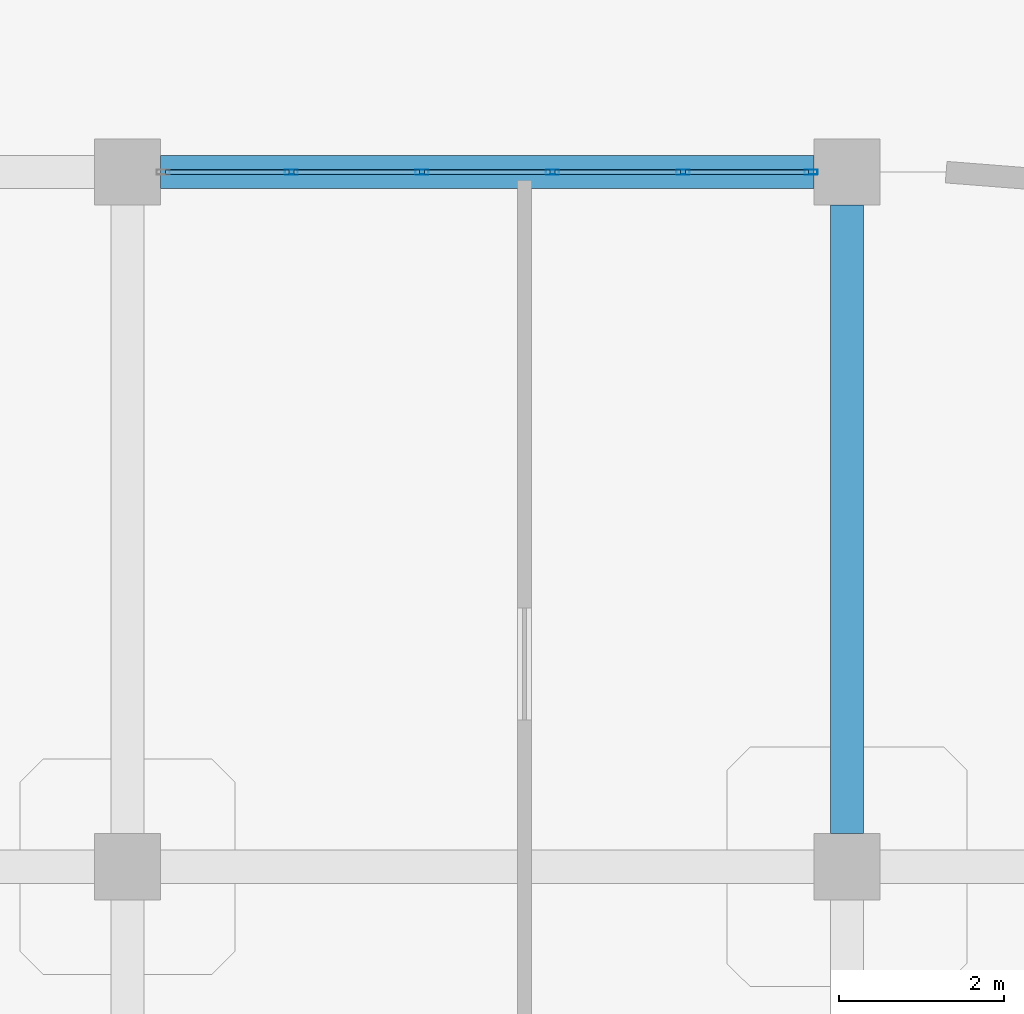
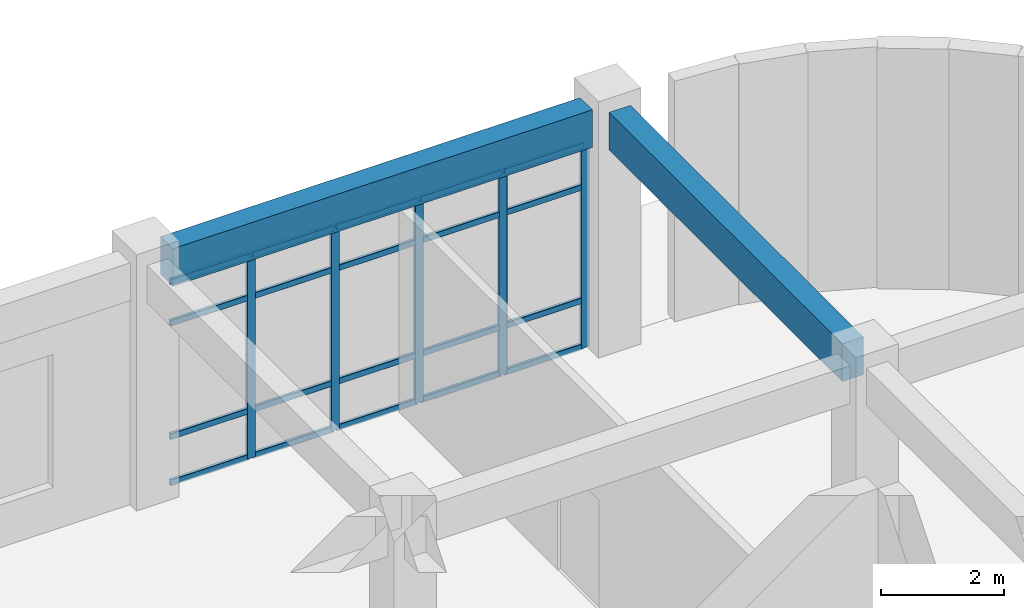
# One storey, part 62 of 96: 25 members, 2 beams, 1 element without a shape of its own.
"""IFC4 building model written with IfcOpenShell, lengths in metres."""

import ifcopenshell
import ifcopenshell.guid

model = None  # the IFC model being written
_history = None  # IfcOwnerHistory: only IFC2X3 demands one
_inside = {}  # id of a spatial element -> (the spatial element, [elements in it])
_under = {}  # id of a project, library or spatial element -> (it, [spatial elements below it])
_declared = {}  # id of a project -> (the project, [libraries it declares])
_typed = {}  # id of a type object -> (the type object, [elements of that type])
_made_of = {}  # id of a material, layer set ... -> (it, [elements and type objects made of it])


def new_model(schema):
    """Start an empty IFC model of exactly this schema.

    Asked for "IFC4X3", IfcOpenShell would pick the latest addendum, in which some entities
    have other attributes; the version numbers below select the first issue.
    IFC2X3 requires an IfcOwnerHistory on every rooted entity: one is made here for all.
    """
    global model, _history
    if schema == "IFC4X3":
        model = ifcopenshell.file(schema_version=(4, 3, 0, 0))
    else:
        model = ifcopenshell.file(schema=schema)
    _inside.clear()
    _under.clear()
    _declared.clear()
    _typed.clear()
    _made_of.clear()
    _history = None
    if model.schema == "IFC2X3":
        org = make("IfcOrganization", Name="unknown")
        user = make(
            "IfcPersonAndOrganization",
            ThePerson=make("IfcPerson", FamilyName="unknown"),
            TheOrganization=org,
        )
        app = make(
            "IfcApplication",
            ApplicationDeveloper=org,
            Version="unknown",
            ApplicationFullName="unknown",
            ApplicationIdentifier="unknown",
        )
        _history = make(
            "IfcOwnerHistory",
            OwningUser=user,
            OwningApplication=app,
            ChangeAction="ADDED",
            CreationDate=0,
        )
    return model


def make(cls, **values):
    """One entity of the class cls with the attributes given. An attribute that is None is left unset."""
    return model.create_entity(
        cls, **{name: value for name, value in values.items() if value is not None}
    )


def rooted(cls, **values):
    """An entity with a GlobalId (a new one), such as an element, a storey or a relation."""
    return make(cls, GlobalId=ifcopenshell.guid.new(), OwnerHistory=_history, **values)


def si_unit(unit_type, name, prefix=None):
    """IfcSIUnit, for example si_unit("LENGTHUNIT", "METRE", prefix="MILLI")."""
    return make("IfcSIUnit", UnitType=unit_type, Prefix=prefix, Name=name)


def derived_unit(unit_type, elements):
    """IfcDerivedUnit: a product of units, each with its exponent."""
    return make(
        "IfcDerivedUnit",
        Elements=[
            make("IfcDerivedUnitElement", Unit=unit, Exponent=power)
            for unit, power in elements
        ],
        UnitType=unit_type,
    )


def assignment(units):
    """IfcUnitAssignment: the units of a project."""
    return None if units is None else make("IfcUnitAssignment", Units=units)


def point(xyz):
    """IfcCartesianPoint."""
    return None if xyz is None else make("IfcCartesianPoint", Coordinates=xyz)


def direction(xyz):
    """IfcDirection."""
    return None if xyz is None else make("IfcDirection", DirectionRatios=xyz)


def frame(location, z_axis=None, x_axis=None):
    """IfcAxis2Placement3D, a coordinate frame: its origin and axes. An axis left out is left unset."""
    return make(
        "IfcAxis2Placement3D",
        Location=point(location),
        Axis=direction(z_axis),
        RefDirection=direction(x_axis),
    )


def frame_2d(location, x_axis=None):
    """IfcAxis2Placement2D, a coordinate frame in the plane: its origin and x axis."""
    return make(
        "IfcAxis2Placement2D", Location=point(location), RefDirection=direction(x_axis)
    )


def origin():
    """The frame at (0, 0, 0) with its axes left unset."""
    return frame((0.0, 0.0, 0.0))


def origin_2d():
    """The frame at (0, 0) in the plane with its x axis left unset."""
    return frame_2d((0.0, 0.0))


def place(relative_to, where):
    """IfcLocalPlacement: puts the frame where relative to a parent placement (None: the world)."""
    return make(
        "IfcLocalPlacement", PlacementRelTo=relative_to, RelativePlacement=where
    )


def context(
    kind, dimensions, precision=None, world=None, true_north=None, identifier=None
):
    """IfcGeometricRepresentationContext, for example the 3D "Model" context."""
    return make(
        "IfcGeometricRepresentationContext",
        ContextIdentifier=identifier,
        ContextType=kind,
        CoordinateSpaceDimension=dimensions,
        Precision=precision,
        WorldCoordinateSystem=world,
        TrueNorth=true_north,
    )


def subcontext(parent, identifier, kind, view, scale=None):
    """IfcGeometricRepresentationSubContext, for example "Body" below "Model"."""
    return make(
        "IfcGeometricRepresentationSubContext",
        ContextIdentifier=identifier,
        ContextType=kind,
        ParentContext=parent,
        TargetScale=scale,
        TargetView=view,
    )


def project(units=None, contexts=None):
    """IfcProject with its units and contexts."""
    return rooted(
        "IfcProject",
        Name="project",
        RepresentationContexts=contexts,
        UnitsInContext=assignment(units),
    )


def spatial(cls, under=None, at=None, **own):
    """A site, building, storey or space (cls), placed at a placement, below another one or the project."""
    s = rooted(cls, ObjectPlacement=at, **own)
    if under is not None:
        _under.setdefault(under.id(), (under, []))[1].append(s)
    return s


def profile(cls, at=None, kind="AREA", **sizes):
    """A parametric profile (cls). Its sizes go by their IFC names, for example OverallWidth=200.0."""
    return make(cls, ProfileType=kind, Position=at, **sizes)


def rectangle(**sizes):
    """IfcRectangleProfileDef."""
    return profile("IfcRectangleProfileDef", **sizes)


def hollow_rectangle(**sizes):
    """IfcRectangleHollowProfileDef."""
    return profile("IfcRectangleHollowProfileDef", **sizes)


def extrude(swept, where, along, depth):
    """IfcExtrudedAreaSolid: the profile swept, set in the frame where, extruded along a direction by depth."""
    return make(
        "IfcExtrudedAreaSolid",
        SweptArea=swept,
        Position=where,
        ExtrudedDirection=direction(along),
        Depth=depth,
    )


def shape(context_of_items, identifier, shape_type, items):
    """IfcShapeRepresentation: the items that make up one representation, for example the "Body"."""
    return make(
        "IfcShapeRepresentation",
        ContextOfItems=context_of_items,
        RepresentationIdentifier=identifier,
        RepresentationType=shape_type,
        Items=items,
    )


def material(Name=None, Category=None):
    """IfcMaterial."""
    return make("IfcMaterial", Name=Name, Category=Category)


def layer(
    of_material, thickness, ventilated=None, Name=None, Category=None, Priority=None
):
    """IfcMaterialLayer: one layer of a wall or slab, of a material (None: an air gap)."""
    return make(
        "IfcMaterialLayer",
        Material=of_material,
        LayerThickness=thickness,
        IsVentilated=ventilated,
        Name=Name,
        Category=Category,
        Priority=Priority,
    )


def layer_set(layers, Name=None):
    """IfcMaterialLayerSet."""
    return make("IfcMaterialLayerSet", MaterialLayers=layers, LayerSetName=Name)


def material_profile(
    of_material, cross_section, Name=None, Category=None, Priority=None
):
    """IfcMaterialProfile: a cross section and its material."""
    return make(
        "IfcMaterialProfile",
        Name=Name,
        Material=of_material,
        Profile=cross_section,
        Priority=Priority,
        Category=Category,
    )


def profile_set(profiles, Name=None, composite=None):
    """IfcMaterialProfileSet."""
    return make(
        "IfcMaterialProfileSet",
        Name=Name,
        MaterialProfiles=profiles,
        CompositeProfile=composite,
    )


def made_of(thing, what):
    """Note that an element or type object is made of a material, layer set ...; save() writes the relation."""
    if what is not None:
        _made_of.setdefault(what.id(), (what, []))[1].append(thing)
    return thing


def type_object(cls, material=None, **own):
    """A type object (cls), such as IfcWallType, which elements share."""
    return made_of(rooted(cls, **own), material)


def element(
    cls,
    number,
    at=None,
    inside=None,
    cuts=None,
    type_object=None,
    material=None,
    context=None,
    identifier="Body",
    shape_type=None,
    held_by="IfcProductDefinitionShape",
    body=None,
    shapes=None,
    **own,
):
    """One element of the class cls, such as IfcWall. Its Tag is "e" and its number.

    at: its placement. inside: the storey or other place that contains it. cuts: it is an
    opening in that element (IfcRelVoidsElement). A single representation is given by context,
    identifier, shape_type and body (its items); several are given by shapes. held_by: the class
    of the entity that holds the representations. save() writes the other relations.
    """
    e = rooted(cls, Tag="e%d" % number, ObjectPlacement=at, **own)
    if body is not None:
        shapes = [shape(context, identifier, shape_type, body)]
    if shapes is not None:
        e.Representation = make(held_by, Representations=shapes)
    if inside is not None:
        _inside.setdefault(inside.id(), (inside, []))[1].append(e)
    if cuts is not None:
        rooted(
            "IfcRelVoidsElement", RelatingBuildingElement=cuts, RelatedOpeningElement=e
        )
    if type_object is not None:
        _typed.setdefault(type_object.id(), (type_object, []))[1].append(e)
    return made_of(e, material)


def aggregate(whole, parts):
    """IfcRelAggregates: a whole, such as a stair, and the parts it consists of."""
    return rooted("IfcRelAggregates", RelatingObject=whole, RelatedObjects=parts)


def save(model, path):
    """Write the relations noted so far, then the file.

    IfcRelAggregates (storeys below a building ...), IfcRelContainedInSpatialStructure (elements
    in a storey), IfcRelDefinesByType, IfcRelAssociatesMaterial and IfcRelDeclares: one each for
    every whole, place, type object, material and project.
    """
    for whole, parts in _under.values():
        aggregate(whole, parts)
    for where, things in _inside.values():
        rooted(
            "IfcRelContainedInSpatialStructure",
            RelatedElements=things,
            RelatingStructure=where,
        )
    for kind, things in _typed.values():
        rooted("IfcRelDefinesByType", RelatedObjects=things, RelatingType=kind)
    for what, things in _made_of.values():
        rooted("IfcRelAssociatesMaterial", RelatedObjects=things, RelatingMaterial=what)
    for by, libraries in _declared.values():
        rooted("IfcRelDeclares", RelatingContext=by, RelatedDefinitions=libraries)
    model.write(path)


model = new_model("IFC4")

# Units and contexts
model_context = context("Model", 3, precision=1e-05, world=origin(), true_north=direction((0.0, 1.0)))
body_context = subcontext(model_context, "Body", "Model", "MODEL_VIEW")
ifc_project = project(units=[si_unit("LENGTHUNIT", "METRE"), si_unit("AREAUNIT", "SQUARE_METRE"), si_unit("VOLUMEUNIT", "CUBIC_METRE"), si_unit("PLANEANGLEUNIT", "RADIAN"), si_unit("MASSUNIT", "GRAM", prefix="KILO"), derived_unit("THERMALTRANSMITTANCEUNIT", [(si_unit("MASSUNIT", "GRAM", prefix="KILO"), 1), (si_unit("TIMEUNIT", "SECOND"), -3), (si_unit("THERMODYNAMICTEMPERATUREUNIT", "KELVIN"), -1)])], contexts=[model_context])

# Site, building, storey
site_placement = place(None, origin())
site = spatial("IfcSite", under=ifc_project, at=site_placement, CompositionType="ELEMENT")
building_placement = place(site_placement, origin())
building = spatial("IfcBuilding", under=site, at=building_placement, Name="Qinzheling Arcade Emporium", CompositionType="ELEMENT")
storey_placement = place(building_placement, frame((0.0, 0.0, 21.60009765625)))
storey = spatial("IfcBuildingStorey", under=building, at=storey_placement, Name="L05", CompositionType="ELEMENT", Elevation=21.60009765625)

# Curtain wall, members
ifc_material_1 = material(Name="Anodised aluminium and solar-control double glazing", Category="aluminium")
ifc_layer = layer(ifc_material_1, 0.159912109375, Name="Anodised aluminium and solar-control double glazing", Category="aluminium")
ifc_layer_set = layer_set([ifc_layer], Name="Anodised aluminium and solar-control double glazing")
curtain_wall_type = type_object("IfcCurtainWallType", Name="Food Hall Loggia Curtain Wall", PredefinedType="NOTDEFINED", material=ifc_layer_set)
curtain_wall_placement = place(storey_placement, origin())
curtain_wall = element("IfcCurtainWall", 1, at=curtain_wall_placement, inside=storey, type_object=curtain_wall_type, Name="Curtain Wall CW-L05-297", PredefinedType="NOTDEFINED")
ifc_material_2 = material(Name="Anodised aluminium 6063-T6", Category="aluminium")
ifc_material_profile_1 = material_profile(ifc_material_2, hollow_rectangle(XDim=0.06005859375, YDim=0.159912109375, WallThickness=0.00390625, InnerFilletRadius=0.00390625, OuterFilletRadius=0.008056640625, at=origin_2d()), Name="RHS 160x60x4", Category="aluminium")
ifc_profile_set_1 = profile_set([ifc_material_profile_1], Name="Anodised aluminium 6063-T6")
member_type_1 = type_object("IfcMemberType", Name="Curtain Wall Mullion RHS160x60", PredefinedType="MULLION", material=ifc_profile_set_1)
member_1_placement = place(storey_placement, frame((141.18115234375, 25.199951171875, 0.0), z_axis=(0.0, 0.0, 1.0), x_axis=(0.0, 1.0, 0.0)))
member_1 = element("IfcMember", 2, at=member_1_placement, type_object=member_type_1, Name="CW04 mullion 2", PredefinedType="MULLION", context=body_context, shape_type="SweptSolid", body=[
    extrude(hollow_rectangle(XDim=0.06005859375, YDim=0.159912109375, WallThickness=0.00390625, InnerFilletRadius=0.00390625, OuterFilletRadius=0.008056640625, at=origin_2d()), origin(), (0.0, 0.0, 1.0), 4.054931640625),
])
member_2_placement = place(storey_placement, frame((142.760498046875, 25.199951171875, 0.0), z_axis=(0.0, 0.0, 1.0), x_axis=(0.0, 1.0, 0.0)))
member_2 = element("IfcMember", 3, at=member_2_placement, type_object=member_type_1, Name="CW04 mullion 3", PredefinedType="MULLION", context=body_context, shape_type="SweptSolid", body=[
    extrude(hollow_rectangle(XDim=0.06005859375, YDim=0.159912109375, WallThickness=0.00390625, InnerFilletRadius=0.00390625, OuterFilletRadius=0.008056640625, at=origin_2d()), origin(), (0.0, 0.0, 1.0), 4.054931640625),
])
member_3_placement = place(storey_placement, frame((144.339599609375, 25.199951171875, 0.0), z_axis=(0.0, 0.0, 1.0), x_axis=(0.0, 1.0, 0.0)))
member_3 = element("IfcMember", 4, at=member_3_placement, type_object=member_type_1, Name="CW04 mullion 4", PredefinedType="MULLION", context=body_context, shape_type="SweptSolid", body=[
    extrude(hollow_rectangle(XDim=0.06005859375, YDim=0.159912109375, WallThickness=0.00390625, InnerFilletRadius=0.00390625, OuterFilletRadius=0.008056640625, at=origin_2d()), origin(), (0.0, 0.0, 1.0), 4.054931640625),
])
member_4_placement = place(storey_placement, frame((145.918701171875, 25.199951171875, 0.0), z_axis=(0.0, 0.0, 1.0), x_axis=(0.0, 1.0, 0.0)))
member_4 = element("IfcMember", 5, at=member_4_placement, type_object=member_type_1, Name="CW04 mullion 5", PredefinedType="MULLION", context=body_context, shape_type="SweptSolid", body=[
    extrude(hollow_rectangle(XDim=0.06005859375, YDim=0.159912109375, WallThickness=0.00390625, InnerFilletRadius=0.00390625, OuterFilletRadius=0.008056640625, at=origin_2d()), origin(), (0.0, 0.0, 1.0), 4.054931640625),
])
member_5_placement = place(storey_placement, frame((147.468017578125, 25.199951171875, 0.0), z_axis=(0.0, 0.0, 1.0), x_axis=(0.0, 1.0, 0.0)))
member_5 = element("IfcMember", 6, at=member_5_placement, type_object=member_type_1, Name="CW04 mullion 6", PredefinedType="MULLION", context=body_context, shape_type="SweptSolid", body=[
    extrude(hollow_rectangle(XDim=0.06005859375, YDim=0.159912109375, WallThickness=0.00390625, InnerFilletRadius=0.00390625, OuterFilletRadius=0.008056640625, at=origin_2d()), origin(), (0.0, 0.0, 1.0), 4.054931640625),
])
ifc_material_profile_2 = material_profile(ifc_material_2, hollow_rectangle(XDim=0.06005859375, YDim=0.1201171875, WallThickness=0.00390625, InnerFilletRadius=0.00390625, OuterFilletRadius=0.008056640625, at=origin_2d()), Name="RHS 120x60x4", Category="aluminium")
ifc_profile_set_2 = profile_set([ifc_material_profile_2], Name="Anodised aluminium 6063-T6")
member_type_2 = type_object("IfcMemberType", Name="Curtain Wall Transom RHS120x60", PredefinedType="USERDEFINED", material=ifc_profile_set_2)
member_6_placement = place(storey_placement, frame((139.662109375, 25.199951171875, 0.02978515625), z_axis=(1.0, 0.0, 0.0), x_axis=(0.0, 1.0, 0.0)))
member_6 = element("IfcMember", 7, at=member_6_placement, type_object=member_type_2, Name="CW04 transom 1.1", ObjectType="TRANSOM", PredefinedType="USERDEFINED", context=body_context, shape_type="SweptSolid", body=[
    extrude(hollow_rectangle(XDim=0.06005859375, YDim=0.1201171875, WallThickness=0.00390625, InnerFilletRadius=0.00390625, OuterFilletRadius=0.008056640625, at=origin_2d()), origin(), (0.0, 0.0, 1.0), 1.489013671875),
])
member_7_placement = place(storey_placement, frame((139.662109375, 25.199951171875, 0.949951171875), z_axis=(1.0, 0.0, 0.0), x_axis=(0.0, 1.0, 0.0)))
member_7 = element("IfcMember", 8, at=member_7_placement, type_object=member_type_2, Name="CW04 transom 1.2", ObjectType="TRANSOM", PredefinedType="USERDEFINED", context=body_context, shape_type="SweptSolid", body=[
    extrude(hollow_rectangle(XDim=0.06005859375, YDim=0.1201171875, WallThickness=0.00390625, InnerFilletRadius=0.00390625, OuterFilletRadius=0.008056640625, at=origin_2d()), origin(), (0.0, 0.0, 1.0), 1.489013671875),
])
member_8_placement = place(storey_placement, frame((139.662109375, 25.199951171875, 3.204833984375), z_axis=(1.0, 0.0, 0.0), x_axis=(0.0, 1.0, 0.0)))
member_8 = element("IfcMember", 9, at=member_8_placement, type_object=member_type_2, Name="CW04 transom 1.3", ObjectType="TRANSOM", PredefinedType="USERDEFINED", context=body_context, shape_type="SweptSolid", body=[
    extrude(hollow_rectangle(XDim=0.06005859375, YDim=0.1201171875, WallThickness=0.00390625, InnerFilletRadius=0.00390625, OuterFilletRadius=0.008056640625, at=origin_2d()), origin(), (0.0, 0.0, 1.0), 1.489013671875),
])
member_9_placement = place(storey_placement, frame((139.662109375, 25.199951171875, 4.02490234375), z_axis=(1.0, 0.0, 0.0), x_axis=(0.0, 1.0, 0.0)))
member_9 = element("IfcMember", 10, at=member_9_placement, type_object=member_type_2, Name="CW04 transom 1.4", ObjectType="TRANSOM", PredefinedType="USERDEFINED", context=body_context, shape_type="SweptSolid", body=[
    extrude(hollow_rectangle(XDim=0.06005859375, YDim=0.1201171875, WallThickness=0.00390625, InnerFilletRadius=0.00390625, OuterFilletRadius=0.008056640625, at=origin_2d()), origin(), (0.0, 0.0, 1.0), 1.489013671875),
])
member_10_placement = place(storey_placement, frame((141.211181640625, 25.199951171875, 0.02978515625), z_axis=(1.0, 0.0, 0.0), x_axis=(0.0, 1.0, 0.0)))
member_10 = element("IfcMember", 11, at=member_10_placement, type_object=member_type_2, Name="CW04 transom 2.1", ObjectType="TRANSOM", PredefinedType="USERDEFINED", context=body_context, shape_type="SweptSolid", body=[
    extrude(hollow_rectangle(XDim=0.06005859375, YDim=0.1201171875, WallThickness=0.00390625, InnerFilletRadius=0.00390625, OuterFilletRadius=0.008056640625, at=origin_2d()), origin(), (0.0, 0.0, 1.0), 1.519287109375),
])
member_11_placement = place(storey_placement, frame((141.211181640625, 25.199951171875, 0.949951171875), z_axis=(1.0, 0.0, 0.0), x_axis=(0.0, 1.0, 0.0)))
member_11 = element("IfcMember", 12, at=member_11_placement, type_object=member_type_2, Name="CW04 transom 2.2", ObjectType="TRANSOM", PredefinedType="USERDEFINED", context=body_context, shape_type="SweptSolid", body=[
    extrude(hollow_rectangle(XDim=0.06005859375, YDim=0.1201171875, WallThickness=0.00390625, InnerFilletRadius=0.00390625, OuterFilletRadius=0.008056640625, at=origin_2d()), origin(), (0.0, 0.0, 1.0), 1.519287109375),
])
member_12_placement = place(storey_placement, frame((141.211181640625, 25.199951171875, 3.204833984375), z_axis=(1.0, 0.0, 0.0), x_axis=(0.0, 1.0, 0.0)))
member_12 = element("IfcMember", 13, at=member_12_placement, type_object=member_type_2, Name="CW04 transom 2.3", ObjectType="TRANSOM", PredefinedType="USERDEFINED", context=body_context, shape_type="SweptSolid", body=[
    extrude(hollow_rectangle(XDim=0.06005859375, YDim=0.1201171875, WallThickness=0.00390625, InnerFilletRadius=0.00390625, OuterFilletRadius=0.008056640625, at=origin_2d()), origin(), (0.0, 0.0, 1.0), 1.519287109375),
])
member_13_placement = place(storey_placement, frame((141.211181640625, 25.199951171875, 4.02490234375), z_axis=(1.0, 0.0, 0.0), x_axis=(0.0, 1.0, 0.0)))
member_13 = element("IfcMember", 14, at=member_13_placement, type_object=member_type_2, Name="CW04 transom 2.4", ObjectType="TRANSOM", PredefinedType="USERDEFINED", context=body_context, shape_type="SweptSolid", body=[
    extrude(hollow_rectangle(XDim=0.06005859375, YDim=0.1201171875, WallThickness=0.00390625, InnerFilletRadius=0.00390625, OuterFilletRadius=0.008056640625, at=origin_2d()), origin(), (0.0, 0.0, 1.0), 1.519287109375),
])
member_14_placement = place(storey_placement, frame((142.790283203125, 25.199951171875, 0.02978515625), z_axis=(1.0, 0.0, 0.0), x_axis=(0.0, 1.0, 0.0)))
member_14 = element("IfcMember", 15, at=member_14_placement, type_object=member_type_2, Name="CW04 transom 3.1", ObjectType="TRANSOM", PredefinedType="USERDEFINED", context=body_context, shape_type="SweptSolid", body=[
    extrude(hollow_rectangle(XDim=0.06005859375, YDim=0.1201171875, WallThickness=0.00390625, InnerFilletRadius=0.00390625, OuterFilletRadius=0.008056640625, at=origin_2d()), origin(), (0.0, 0.0, 1.0), 1.519287109375),
])
member_15_placement = place(storey_placement, frame((142.790283203125, 25.199951171875, 0.949951171875), z_axis=(1.0, 0.0, 0.0), x_axis=(0.0, 1.0, 0.0)))
member_15 = element("IfcMember", 16, at=member_15_placement, type_object=member_type_2, Name="CW04 transom 3.2", ObjectType="TRANSOM", PredefinedType="USERDEFINED", context=body_context, shape_type="SweptSolid", body=[
    extrude(hollow_rectangle(XDim=0.06005859375, YDim=0.1201171875, WallThickness=0.00390625, InnerFilletRadius=0.00390625, OuterFilletRadius=0.008056640625, at=origin_2d()), origin(), (0.0, 0.0, 1.0), 1.519287109375),
])
member_16_placement = place(storey_placement, frame((142.790283203125, 25.199951171875, 3.204833984375), z_axis=(1.0, 0.0, 0.0), x_axis=(0.0, 1.0, 0.0)))
member_16 = element("IfcMember", 17, at=member_16_placement, type_object=member_type_2, Name="CW04 transom 3.3", ObjectType="TRANSOM", PredefinedType="USERDEFINED", context=body_context, shape_type="SweptSolid", body=[
    extrude(hollow_rectangle(XDim=0.06005859375, YDim=0.1201171875, WallThickness=0.00390625, InnerFilletRadius=0.00390625, OuterFilletRadius=0.008056640625, at=origin_2d()), origin(), (0.0, 0.0, 1.0), 1.519287109375),
])
member_17_placement = place(storey_placement, frame((142.790283203125, 25.199951171875, 4.02490234375), z_axis=(1.0, 0.0, 0.0), x_axis=(0.0, 1.0, 0.0)))
member_17 = element("IfcMember", 18, at=member_17_placement, type_object=member_type_2, Name="CW04 transom 3.4", ObjectType="TRANSOM", PredefinedType="USERDEFINED", context=body_context, shape_type="SweptSolid", body=[
    extrude(hollow_rectangle(XDim=0.06005859375, YDim=0.1201171875, WallThickness=0.00390625, InnerFilletRadius=0.00390625, OuterFilletRadius=0.008056640625, at=origin_2d()), origin(), (0.0, 0.0, 1.0), 1.519287109375),
])
member_18_placement = place(storey_placement, frame((144.36962890625, 25.199951171875, 0.02978515625), z_axis=(1.0, 0.0, 0.0), x_axis=(0.0, 1.0, 0.0)))
member_18 = element("IfcMember", 19, at=member_18_placement, type_object=member_type_2, Name="CW04 transom 4.1", ObjectType="TRANSOM", PredefinedType="USERDEFINED", context=body_context, shape_type="SweptSolid", body=[
    extrude(hollow_rectangle(XDim=0.06005859375, YDim=0.1201171875, WallThickness=0.00390625, InnerFilletRadius=0.00390625, OuterFilletRadius=0.008056640625, at=origin_2d()), origin(), (0.0, 0.0, 1.0), 1.519287109375),
])
member_19_placement = place(storey_placement, frame((144.36962890625, 25.199951171875, 0.949951171875), z_axis=(1.0, 0.0, 0.0), x_axis=(0.0, 1.0, 0.0)))
member_19 = element("IfcMember", 20, at=member_19_placement, type_object=member_type_2, Name="CW04 transom 4.2", ObjectType="TRANSOM", PredefinedType="USERDEFINED", context=body_context, shape_type="SweptSolid", body=[
    extrude(hollow_rectangle(XDim=0.06005859375, YDim=0.1201171875, WallThickness=0.00390625, InnerFilletRadius=0.00390625, OuterFilletRadius=0.008056640625, at=origin_2d()), origin(), (0.0, 0.0, 1.0), 1.519287109375),
])
member_20_placement = place(storey_placement, frame((144.36962890625, 25.199951171875, 3.204833984375), z_axis=(1.0, 0.0, 0.0), x_axis=(0.0, 1.0, 0.0)))
member_20 = element("IfcMember", 21, at=member_20_placement, type_object=member_type_2, Name="CW04 transom 4.3", ObjectType="TRANSOM", PredefinedType="USERDEFINED", context=body_context, shape_type="SweptSolid", body=[
    extrude(hollow_rectangle(XDim=0.06005859375, YDim=0.1201171875, WallThickness=0.00390625, InnerFilletRadius=0.00390625, OuterFilletRadius=0.008056640625, at=origin_2d()), origin(), (0.0, 0.0, 1.0), 1.519287109375),
])
member_21_placement = place(storey_placement, frame((144.36962890625, 25.199951171875, 4.02490234375), z_axis=(1.0, 0.0, 0.0), x_axis=(0.0, 1.0, 0.0)))
member_21 = element("IfcMember", 22, at=member_21_placement, type_object=member_type_2, Name="CW04 transom 4.4", ObjectType="TRANSOM", PredefinedType="USERDEFINED", context=body_context, shape_type="SweptSolid", body=[
    extrude(hollow_rectangle(XDim=0.06005859375, YDim=0.1201171875, WallThickness=0.00390625, InnerFilletRadius=0.00390625, OuterFilletRadius=0.008056640625, at=origin_2d()), origin(), (0.0, 0.0, 1.0), 1.519287109375),
])
member_22_placement = place(storey_placement, frame((145.94873046875, 25.199951171875, 0.02978515625), z_axis=(1.0, 0.0, 0.0), x_axis=(0.0, 1.0, 0.0)))
member_22 = element("IfcMember", 23, at=member_22_placement, type_object=member_type_2, Name="CW04 transom 5.1", ObjectType="TRANSOM", PredefinedType="USERDEFINED", context=body_context, shape_type="SweptSolid", body=[
    extrude(hollow_rectangle(XDim=0.06005859375, YDim=0.1201171875, WallThickness=0.00390625, InnerFilletRadius=0.00390625, OuterFilletRadius=0.008056640625, at=origin_2d()), origin(), (0.0, 0.0, 1.0), 1.4892578125),
])
member_23_placement = place(storey_placement, frame((145.94873046875, 25.199951171875, 0.949951171875), z_axis=(1.0, 0.0, 0.0), x_axis=(0.0, 1.0, 0.0)))
member_23 = element("IfcMember", 24, at=member_23_placement, type_object=member_type_2, Name="CW04 transom 5.2", ObjectType="TRANSOM", PredefinedType="USERDEFINED", context=body_context, shape_type="SweptSolid", body=[
    extrude(hollow_rectangle(XDim=0.06005859375, YDim=0.1201171875, WallThickness=0.00390625, InnerFilletRadius=0.00390625, OuterFilletRadius=0.008056640625, at=origin_2d()), origin(), (0.0, 0.0, 1.0), 1.4892578125),
])
member_24_placement = place(storey_placement, frame((145.94873046875, 25.199951171875, 3.204833984375), z_axis=(1.0, 0.0, 0.0), x_axis=(0.0, 1.0, 0.0)))
member_24 = element("IfcMember", 25, at=member_24_placement, type_object=member_type_2, Name="CW04 transom 5.3", ObjectType="TRANSOM", PredefinedType="USERDEFINED", context=body_context, shape_type="SweptSolid", body=[
    extrude(hollow_rectangle(XDim=0.06005859375, YDim=0.1201171875, WallThickness=0.00390625, InnerFilletRadius=0.00390625, OuterFilletRadius=0.008056640625, at=origin_2d()), origin(), (0.0, 0.0, 1.0), 1.4892578125),
])
member_25_placement = place(storey_placement, frame((145.94873046875, 25.199951171875, 4.02490234375), z_axis=(1.0, 0.0, 0.0), x_axis=(0.0, 1.0, 0.0)))
member_25 = element("IfcMember", 26, at=member_25_placement, type_object=member_type_2, Name="CW04 transom 5.4", ObjectType="TRANSOM", PredefinedType="USERDEFINED", context=body_context, shape_type="SweptSolid", body=[
    extrude(hollow_rectangle(XDim=0.06005859375, YDim=0.1201171875, WallThickness=0.00390625, InnerFilletRadius=0.00390625, OuterFilletRadius=0.008056640625, at=origin_2d()), origin(), (0.0, 0.0, 1.0), 1.4892578125),
])
aggregate(curtain_wall, [member_1, member_2, member_3, member_4, member_5, member_6, member_7, member_8, member_9, member_10, member_11, member_12, member_13, member_14, member_15, member_16, member_17, member_18, member_19, member_20, member_21, member_22, member_23, member_24, member_25])

# Beams
ifc_material_3 = material(Name="Concrete C40", Category="concrete")
ifc_material_profile_3 = material_profile(ifc_material_3, rectangle(XDim=0.39990234375, YDim=0.75, at=origin_2d()), Name="RC 400x750", Category="concrete")
ifc_profile_set_3 = profile_set([ifc_material_profile_3], Name="Concrete C40")
beam_type = type_object("IfcBeamType", Name="RC Interior Tie Beam 400x750 C40", PredefinedType="BEAM", material=ifc_profile_set_3)
beam_1_placement = place(storey_placement, frame((139.60009765625, 25.199951171875, 4.44482421875), z_axis=(1.0, 0.0, 0.0), x_axis=(0.0, 1.0, 0.0)))
element("IfcBeam", 27, at=beam_1_placement, inside=storey, type_object=beam_type, Name="Beam BM-L05-X-D-17", PredefinedType="BEAM", context=body_context, shape_type="SweptSolid", body=[
    extrude(rectangle(XDim=0.39990234375, YDim=0.75, at=origin_2d()), origin(), (0.0, 0.0, 1.0), 7.89990234375),
])
beam_2_placement = place(storey_placement, frame((147.89990234375, 17.199951171875, 4.44482421875), z_axis=(0.0, 1.0, 0.0), x_axis=(-1.0, 0.0, 0.0)))
element("IfcBeam", 28, at=beam_2_placement, inside=storey, type_object=beam_type, Name="Beam BM-L05-Y-18-C", PredefinedType="BEAM", context=body_context, shape_type="SweptSolid", body=[
    extrude(rectangle(XDim=0.39990234375, YDim=0.75, at=origin_2d()), origin(), (0.0, 0.0, 1.0), 7.60009765625),
])

save(model, "model.ifc")
